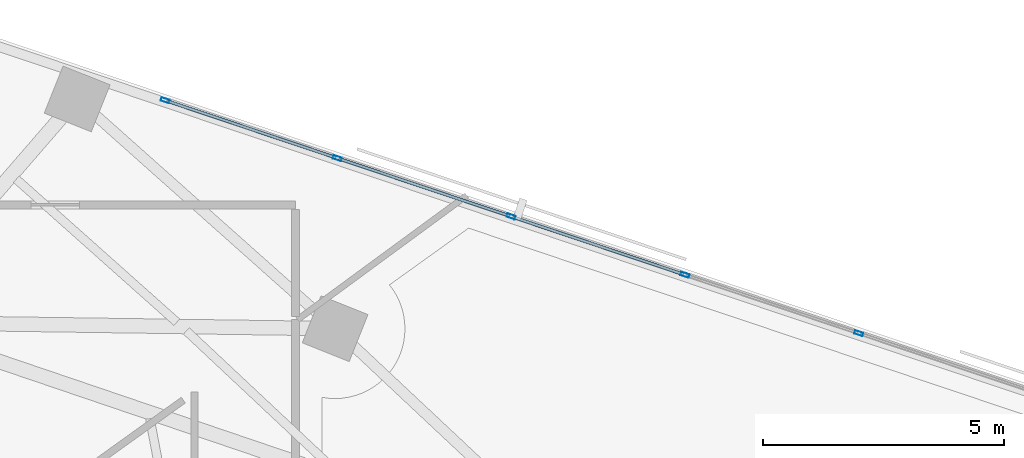
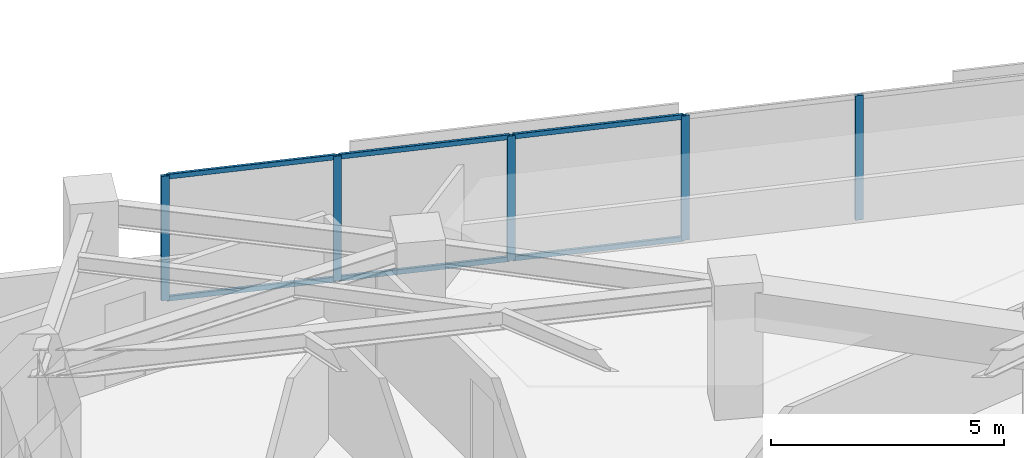
# One storey, part 4 of 14: 11 members, 1 element without a shape of its own.
"""IFC4 building model written with IfcOpenShell, lengths in metres."""

from ifc_helpers import new_model, si_unit, direction, frame, origin, origin_2d, place, context, subcontext, project, spatial, hollow_rectangle, extrude, material, material_profile, profile_set, type_object, element, aggregate, save


model = new_model("IFC4")

# Units and contexts
model_context = context("Model", 3, precision=1e-05, world=origin(), true_north=direction((0.0, 1.0)))
body_context = subcontext(model_context, "Body", "Model", "MODEL_VIEW")
ifc_project = project(units=[si_unit("LENGTHUNIT", "METRE"), si_unit("AREAUNIT", "SQUARE_METRE"), si_unit("VOLUMEUNIT", "CUBIC_METRE"), si_unit("PLANEANGLEUNIT", "RADIAN"), si_unit("MASSUNIT", "GRAM", prefix="KILO")], contexts=[model_context])

# Site, building, storey
site_placement = place(None, origin())
site = spatial("IfcSite", under=ifc_project, at=site_placement, CompositionType="ELEMENT")
building_placement = place(site_placement, origin())
building = spatial("IfcBuilding", under=site, at=building_placement, Name="Narakoshi Arena Tower", CompositionType="ELEMENT")
storey_placement = place(building_placement, frame((0.0, 0.0, 189.659912109375)))
storey = spatial("IfcBuildingStorey", under=building, at=storey_placement, Name="L51", CompositionType="ELEMENT", Elevation=189.659912109375)

# Curtain wall, members
ifc_material = material(Name="Anodised bronze aluminium 6063-T6", Category="aluminium")
curtain_wall_type = type_object("IfcCurtainWallType", Name="CW-HYP-MID", PredefinedType="NOTDEFINED", material=ifc_material)
curtain_wall_placement = place(storey_placement, origin())
curtain_wall = element("IfcCurtainWall", 1, at=curtain_wall_placement, inside=storey, type_object=curtain_wall_type, Name="L51 Folded Hypotenuse Curtain Wall 1-1", PredefinedType="NOTDEFINED")
ifc_material_profile_1 = material_profile(ifc_material, hollow_rectangle(XDim=0.074951171875, YDim=0.179931640625, WallThickness=0.00390625, OuterFilletRadius=0.0048828125, at=origin_2d()), Name="MUL180x75x4")
ifc_profile_set_1 = profile_set([ifc_material_profile_1], Name="Anodised bronze aluminium 6063-T6")
member_type_1 = type_object("IfcMemberType", Name="MEM-MUL-180", PredefinedType="MULLION", material=ifc_profile_set_1)
member_1_placement = place(storey_placement, frame((105.783447265625, 56.272705078125, 0.0), z_axis=(0.0, 0.0, 1.0), x_axis=(-0.318260960253, -0.948003144077, 0.0)))
member_1 = element("IfcMember", 2, at=member_1_placement, type_object=member_type_1, Name="CW-02 mullion 4", PredefinedType="MULLION", context=body_context, shape_type="SweptSolid", body=[
    extrude(hollow_rectangle(XDim=0.074951171875, YDim=0.179931640625, WallThickness=0.00390625, OuterFilletRadius=0.0048828125, at=origin_2d()), origin(), (0.0, 0.0, 1.0), 3.260009765625),
])
member_2_placement = place(storey_placement, frame((102.176025390625, 57.48388671875, 0.0), z_axis=(0.0, 0.0, 1.0), x_axis=(-0.318260960253, -0.948003144077, 0.0)))
member_2 = element("IfcMember", 3, at=member_2_placement, type_object=member_type_1, Name="CW-02 mullion 5", PredefinedType="MULLION", context=body_context, shape_type="SweptSolid", body=[
    extrude(hollow_rectangle(XDim=0.074951171875, YDim=0.179931640625, WallThickness=0.00390625, OuterFilletRadius=0.0048828125, at=origin_2d()), origin(), (0.0, 0.0, 1.0), 3.260009765625),
])
member_3_placement = place(storey_placement, frame((98.568359375, 58.695068359375, 0.0), z_axis=(0.0, 0.0, 1.0), x_axis=(-0.318260960253, -0.948003144077, 0.0)))
member_3 = element("IfcMember", 4, at=member_3_placement, type_object=member_type_1, Name="CW-02 mullion 6", PredefinedType="MULLION", context=body_context, shape_type="SweptSolid", body=[
    extrude(hollow_rectangle(XDim=0.074951171875, YDim=0.179931640625, WallThickness=0.00390625, OuterFilletRadius=0.0048828125, at=origin_2d()), origin(), (0.0, 0.0, 1.0), 3.260009765625),
])
member_4_placement = place(storey_placement, frame((94.960693359375, 59.90625, 0.0), z_axis=(0.0, 0.0, 1.0), x_axis=(-0.318260960253, -0.948003144077, 0.0)))
member_4 = element("IfcMember", 5, at=member_4_placement, type_object=member_type_1, Name="CW-02 mullion 7", PredefinedType="MULLION", context=body_context, shape_type="SweptSolid", body=[
    extrude(hollow_rectangle(XDim=0.074951171875, YDim=0.179931640625, WallThickness=0.00390625, OuterFilletRadius=0.0048828125, at=origin_2d()), origin(), (0.0, 0.0, 1.0), 3.260009765625),
])
member_5_placement = place(storey_placement, frame((91.388671875, 61.10546875, 0.0), z_axis=(0.0, 0.0, 1.0), x_axis=(-0.318260960253, -0.948003144077, 0.0)))
member_5 = element("IfcMember", 6, at=member_5_placement, type_object=member_type_1, Name="CW-02 mullion 8", PredefinedType="MULLION", context=body_context, shape_type="SweptSolid", body=[
    extrude(hollow_rectangle(XDim=0.074951171875, YDim=0.179931640625, WallThickness=0.00390625, OuterFilletRadius=0.0048828125, at=origin_2d()), origin(), (0.0, 0.0, 1.0), 3.260009765625),
])
ifc_material_profile_2 = material_profile(ifc_material, hollow_rectangle(XDim=0.06494140625, YDim=0.1298828125, WallThickness=0.00390625, OuterFilletRadius=0.0048828125, at=origin_2d()), Name="TRN130x65x4")
ifc_profile_set_2 = profile_set([ifc_material_profile_2], Name="Anodised bronze aluminium 6063-T6")
member_type_2 = type_object("IfcMemberType", Name="MEM-TRN-130", PredefinedType="USERDEFINED", material=ifc_profile_set_2)
member_6_placement = place(storey_placement, frame((102.140380859375, 57.495849609375, 0.032470703125), z_axis=(-0.948000451231, 0.318268981314, 0.0), x_axis=(-0.318268981314, -0.948000451231, 0.0)))
member_6 = element("IfcMember", 7, at=member_6_placement, type_object=member_type_2, Name="CW-02 transom 5.1", ObjectType="TRANSOM", PredefinedType="USERDEFINED", context=body_context, shape_type="SweptSolid", body=[
    extrude(hollow_rectangle(XDim=0.06494140625, YDim=0.1298828125, WallThickness=0.00390625, OuterFilletRadius=0.0048828125, at=origin_2d()), origin(), (0.0, 0.0, 1.0), 3.73046875),
])
member_7_placement = place(storey_placement, frame((102.140380859375, 57.495849609375, 3.2275390625), z_axis=(-0.948000451231, 0.318268981314, 0.0), x_axis=(-0.318268981314, -0.948000451231, 0.0)))
member_7 = element("IfcMember", 8, at=member_7_placement, type_object=member_type_2, Name="CW-02 transom 5.2", ObjectType="TRANSOM", PredefinedType="USERDEFINED", context=body_context, shape_type="SweptSolid", body=[
    extrude(hollow_rectangle(XDim=0.06494140625, YDim=0.1298828125, WallThickness=0.00390625, OuterFilletRadius=0.0048828125, at=origin_2d()), origin(), (0.0, 0.0, 1.0), 3.73046875),
])
member_8_placement = place(storey_placement, frame((98.53271484375, 58.70703125, 0.032470703125), z_axis=(-0.948000451231, 0.318268981314, 0.0), x_axis=(-0.318268981314, -0.948000451231, 0.0)))
member_8 = element("IfcMember", 9, at=member_8_placement, type_object=member_type_2, Name="CW-02 transom 6.1", ObjectType="TRANSOM", PredefinedType="USERDEFINED", context=body_context, shape_type="SweptSolid", body=[
    extrude(hollow_rectangle(XDim=0.06494140625, YDim=0.1298828125, WallThickness=0.00390625, OuterFilletRadius=0.0048828125, at=origin_2d()), origin(), (0.0, 0.0, 1.0), 3.73046875),
])
member_9_placement = place(storey_placement, frame((98.53271484375, 58.70703125, 3.2275390625), z_axis=(-0.948000451231, 0.318268981314, 0.0), x_axis=(-0.318268981314, -0.948000451231, 0.0)))
member_9 = element("IfcMember", 10, at=member_9_placement, type_object=member_type_2, Name="CW-02 transom 6.2", ObjectType="TRANSOM", PredefinedType="USERDEFINED", context=body_context, shape_type="SweptSolid", body=[
    extrude(hollow_rectangle(XDim=0.06494140625, YDim=0.1298828125, WallThickness=0.00390625, OuterFilletRadius=0.0048828125, at=origin_2d()), origin(), (0.0, 0.0, 1.0), 3.73046875),
])
member_10_placement = place(storey_placement, frame((94.92529296875, 59.918212890625, 0.032470703125), z_axis=(-0.948006826737, 0.31824999051, 0.0), x_axis=(-0.31824999051, -0.948006826737, 0.0)))
member_10 = element("IfcMember", 11, at=member_10_placement, type_object=member_type_2, Name="CW-02 transom 7.1", ObjectType="TRANSOM", PredefinedType="USERDEFINED", context=body_context, shape_type="SweptSolid", body=[
    extrude(hollow_rectangle(XDim=0.06494140625, YDim=0.1298828125, WallThickness=0.00390625, OuterFilletRadius=0.0048828125, at=origin_2d()), origin(), (0.0, 0.0, 1.0), 3.69287109375),
])
member_11_placement = place(storey_placement, frame((94.92529296875, 59.918212890625, 3.2275390625), z_axis=(-0.948006826737, 0.31824999051, 0.0), x_axis=(-0.31824999051, -0.948006826737, 0.0)))
member_11 = element("IfcMember", 12, at=member_11_placement, type_object=member_type_2, Name="CW-02 transom 7.2", ObjectType="TRANSOM", PredefinedType="USERDEFINED", context=body_context, shape_type="SweptSolid", body=[
    extrude(hollow_rectangle(XDim=0.06494140625, YDim=0.1298828125, WallThickness=0.00390625, OuterFilletRadius=0.0048828125, at=origin_2d()), origin(), (0.0, 0.0, 1.0), 3.69287109375),
])
aggregate(curtain_wall, [member_1, member_2, member_3, member_4, member_5, member_6, member_7, member_8, member_9, member_10, member_11])

save(model, "model.ifc")
